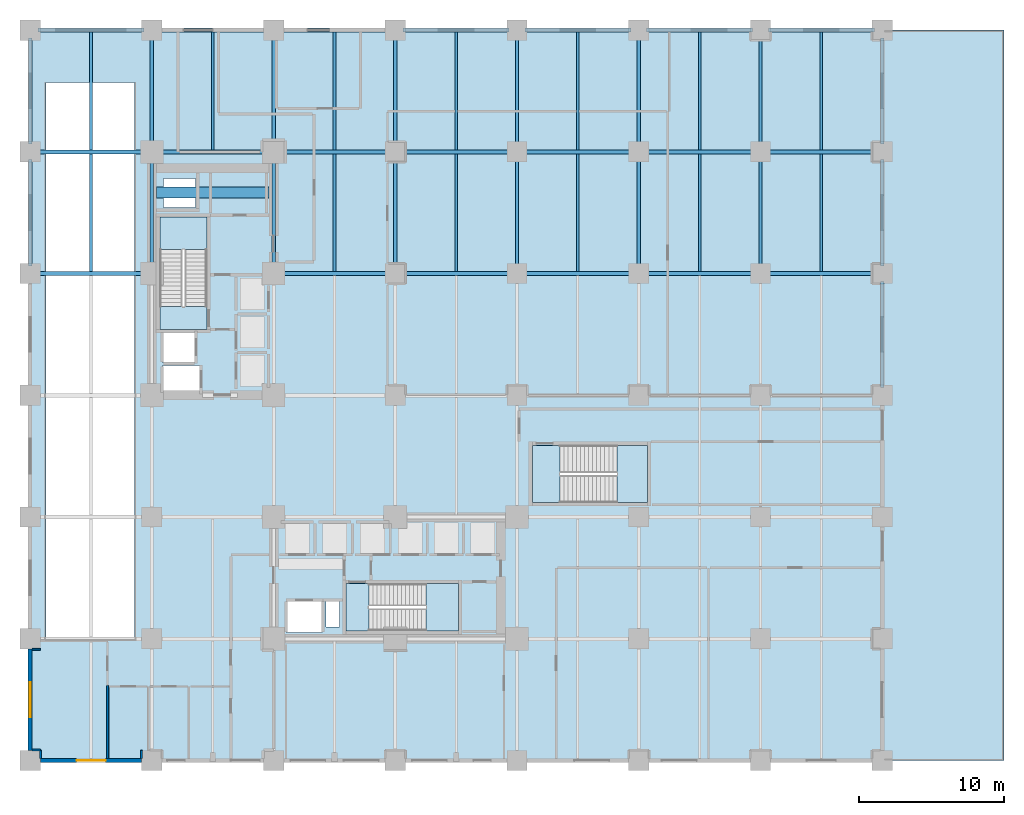
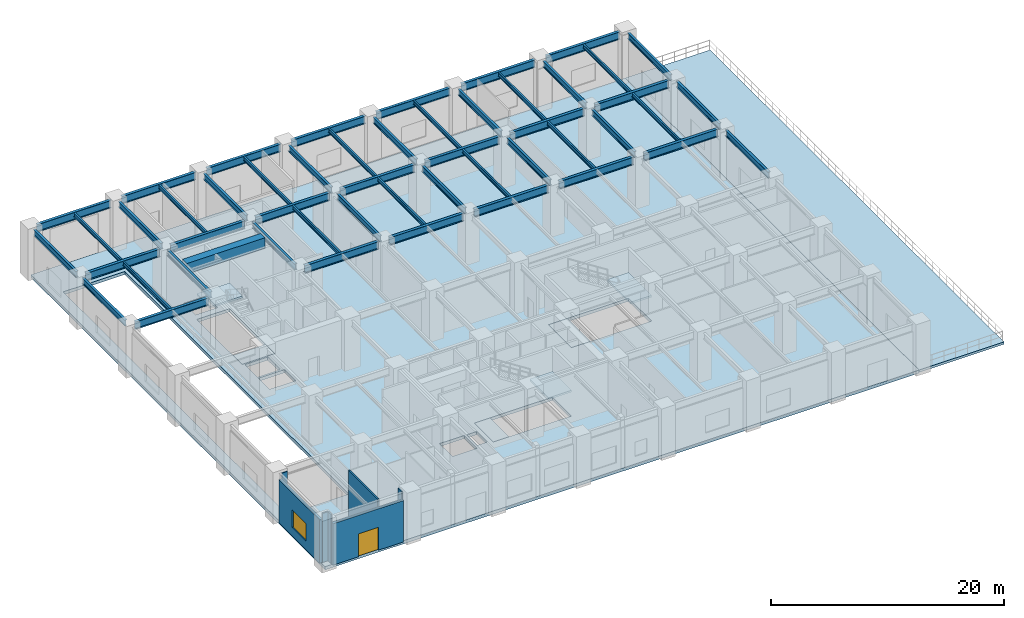
# One storey, part 2 of 13: 51 beams, 8 slabs, 7 walls, 1 door, 1 window, 2 openings, 3 elements without a shape of their own.
"""IFC4 building model written with IfcOpenShell, lengths in metres."""

from ifc_helpers import new_model, si_unit, direction, frame, frame_2d, origin, origin_2d, place, context, subcontext, project, spatial, polyline, rectangle, i_section, outline, extrude, material, layer, layer_set, material_profile, profile_set, type_object, element, fill, aggregate, save


model = new_model("IFC4")

# Units and contexts
model_context = context("Model", 3, precision=1e-05, world=origin(), true_north=direction((0.0, 1.0)))
body_context = subcontext(model_context, "Body", "Model", "MODEL_VIEW")
ifc_project = project(units=[si_unit("LENGTHUNIT", "METRE"), si_unit("AREAUNIT", "SQUARE_METRE"), si_unit("VOLUMEUNIT", "CUBIC_METRE"), si_unit("PLANEANGLEUNIT", "RADIAN"), si_unit("MASSUNIT", "GRAM", prefix="KILO")], contexts=[model_context])

# Site, building, storey
site_placement = place(None, origin())
site = spatial("IfcSite", under=ifc_project, at=site_placement, CompositionType="ELEMENT")
building_placement = place(site_placement, origin())
building = spatial("IfcBuilding", under=site, at=building_placement, Name="Nerrivon Quay Data Exchange", CompositionType="ELEMENT")
storey_placement = place(building_placement, origin())
storey = spatial("IfcBuildingStorey", under=building, at=storey_placement, Name="L00", CompositionType="ELEMENT", Elevation=0.0)

# Beams
ifc_material_1 = material(Name="Concrete S65 (65 MPa)", Category="concrete")
ifc_material_profile_1 = material_profile(ifc_material_1, rectangle(XDim=0.75, YDim=1.10009765625, at=origin_2d()), Name="RC-CB-750x1100")
ifc_profile_set_1 = profile_set([ifc_material_profile_1], Name="Concrete S65 (65 MPa)")
beam_type_1 = type_object("IfcBeamType", Name="BM-CB1-750x1100", PredefinedType="LINTEL", material=ifc_profile_set_1)
beam_1_placement = place(storey_placement, frame((8.72509765625, 39.199951171875, 4.574951171875), z_axis=(1.0, 0.0, 0.0), x_axis=(0.0, 1.0, 0.0)))
element("IfcBeam", 1, at=beam_1_placement, inside=storey, type_object=beam_type_1, Name="L00 West Core Coupling Beam", PredefinedType="LINTEL", context=body_context, shape_type="SweptSolid", body=[
    extrude(rectangle(XDim=0.75, YDim=1.10009765625, at=origin_2d()), origin(), (0.0, 0.0, 1.0), 7.75),
])
ifc_material_2 = material(Name="Steel Grade 350", Category="steel")
ifc_material_profile_2 = material_profile(ifc_material_2, i_section(OverallWidth=0.22900390625, OverallDepth=0.612060546875, WebThickness=0.011962890625, FlangeThickness=0.01953125, FilletRadius=0.013916015625, at=origin_2d()), Name="610UB125")
ifc_profile_set_2 = profile_set([ifc_material_profile_2], Name="Steel Grade 350")
beam_type_2 = type_object("IfcBeamType", Name="BM-G1-610UB125", PredefinedType="BEAM", material=ifc_profile_set_2)
for number, where, z_axis, x_axis, name in (
    (2, (0.0, 34.139892578125, 4.819091796875), (0.0, 1.0, 0.0), (-1.0, 0.0, 0.0), "L00 NS Girder X=0.0 (33.6..42.0)"),
    (3, (0.0, 42.5400390625, 4.819091796875), (0.0, 1.0, 0.0), (-1.0, 0.0, 0.0), "L00 NS Girder X=0.0 (42.0..50.4)"),
    (4, (8.39990234375, 34.139892578125, 4.819091796875), (0.0, 1.0, 0.0), (-1.0, 0.0, 0.0), "L00 NS Girder X=8.4 (33.6..42.0)"),
    (5, (8.39990234375, 42.5400390625, 4.819091796875), (0.0, 1.0, 0.0), (-1.0, 0.0, 0.0), "L00 NS Girder X=8.4 (42.0..50.4)"),
    (6, (16.800048828125, 34.139892578125, 4.819091796875), (0.0, 1.0, 0.0), (-1.0, 0.0, 0.0), "L00 NS Girder X=16.8 (33.6..42.0)"),
    (7, (16.800048828125, 42.5400390625, 4.819091796875), (0.0, 1.0, 0.0), (-1.0, 0.0, 0.0), "L00 NS Girder X=16.8 (42.0..50.4)"),
    (8, (25.199951171875, 34.139892578125, 4.819091796875), (0.0, 1.0, 0.0), (-1.0, 0.0, 0.0), "L00 NS Girder X=25.2 (33.6..42.0)"),
    (9, (25.199951171875, 42.5400390625, 4.819091796875), (0.0, 1.0, 0.0), (-1.0, 0.0, 0.0), "L00 NS Girder X=25.2 (42.0..50.4)"),
    (10, (33.60009765625, 34.139892578125, 4.819091796875), (0.0, 1.0, 0.0), (-1.0, 0.0, 0.0), "L00 NS Girder X=33.6 (33.6..42.0)"),
    (11, (33.60009765625, 42.5400390625, 4.819091796875), (0.0, 1.0, 0.0), (-1.0, 0.0, 0.0), "L00 NS Girder X=33.6 (42.0..50.4)"),
    (12, (42.0, 34.139892578125, 4.819091796875), (0.0, 1.0, 0.0), (-1.0, 0.0, 0.0), "L00 NS Girder X=42.0 (33.6..42.0)"),
    (13, (42.0, 42.5400390625, 4.819091796875), (0.0, 1.0, 0.0), (-1.0, 0.0, 0.0), "L00 NS Girder X=42.0 (42.0..50.4)"),
    (14, (50.39990234375, 34.139892578125, 4.819091796875), (0.0, 1.0, 0.0), (-1.0, 0.0, 0.0), "L00 NS Girder X=50.4 (33.6..42.0)"),
    (15, (50.39990234375, 42.5400390625, 4.819091796875), (0.0, 1.0, 0.0), (-1.0, 0.0, 0.0), "L00 NS Girder X=50.4 (42.0..50.4)"),
    (16, (58.800048828125, 25.739990234375, 4.819091796875), (0.0, 1.0, 0.0), (-1.0, 0.0, 0.0), "L00 NS Girder X=58.8 (25.2..33.6)"),
    (17, (58.800048828125, 34.139892578125, 4.819091796875), (0.0, 1.0, 0.0), (-1.0, 0.0, 0.0), "L00 NS Girder X=58.8 (33.6..42.0)"),
    (18, (58.800048828125, 42.5400390625, 4.819091796875), (0.0, 1.0, 0.0), (-1.0, 0.0, 0.0), "L00 NS Girder X=58.8 (42.0..50.4)"),
):
    element("IfcBeam", number, at=place(storey_placement, frame(where, z_axis=z_axis, x_axis=x_axis)), inside=storey, type_object=beam_type_2, Name=name, PredefinedType="BEAM", context=body_context, shape_type="SweptSolid", body=[
        extrude(i_section(OverallWidth=0.22900390625, OverallDepth=0.612060546875, WebThickness=0.011962890625, FlangeThickness=0.01953125, FilletRadius=0.013916015625, at=origin_2d()), origin(), (0.0, 0.0, 1.0), 7.320068359375),
    ])
ifc_material_profile_3 = material_profile(ifc_material_2, i_section(OverallWidth=0.27490234375, OverallDepth=0.800048828125, WebThickness=0.010009765625, FlangeThickness=0.02001953125, at=origin_2d()), Name="800WB146")
ifc_profile_set_3 = profile_set([ifc_material_profile_3], Name="Steel Grade 350")
beam_type_3 = type_object("IfcBeamType", Name="BM-G8-800WB146", PredefinedType="BEAM", material=ifc_profile_set_3)
beam_2_placement = place(storey_placement, frame((0.5400390625, 33.60009765625, 4.72509765625), z_axis=(1.0, 0.0, 0.0), x_axis=(0.0, 1.0, 0.0)))
element("IfcBeam", 19, at=beam_2_placement, inside=storey, type_object=beam_type_3, Name="L00 EW Girder Y=33.6 (0.0..8.4)", PredefinedType="BEAM", context=body_context, shape_type="SweptSolid", body=[
    extrude(i_section(OverallWidth=0.27490234375, OverallDepth=0.800048828125, WebThickness=0.010009765625, FlangeThickness=0.02001953125, at=origin_2d()), origin(), (0.0, 0.0, 1.0), 7.320068359375),
])
beam_3_placement = place(storey_placement, frame((17.340087890625, 33.60009765625, 4.72509765625), z_axis=(1.0, 0.0, 0.0), x_axis=(0.0, 1.0, 0.0)))
element("IfcBeam", 20, at=beam_3_placement, inside=storey, type_object=beam_type_3, Name="L00 EW Girder Y=33.6 (16.8..25.2)", PredefinedType="BEAM", context=body_context, shape_type="SweptSolid", body=[
    extrude(i_section(OverallWidth=0.27490234375, OverallDepth=0.800048828125, WebThickness=0.010009765625, FlangeThickness=0.02001953125, at=origin_2d()), origin(), (0.0, 0.0, 1.0), 7.31982421875),
])
for number, where, z_axis, x_axis, name in (
    (21, (25.739990234375, 33.60009765625, 4.72509765625), (1.0, 0.0, 0.0), (0.0, 1.0, 0.0), "L00 EW Girder Y=33.6 (25.2..33.6)"),
    (22, (34.139892578125, 33.60009765625, 4.72509765625), (1.0, 0.0, 0.0), (0.0, 1.0, 0.0), "L00 EW Girder Y=33.6 (33.6..42.0)"),
    (23, (42.5400390625, 33.60009765625, 4.72509765625), (1.0, 0.0, 0.0), (0.0, 1.0, 0.0), "L00 EW Girder Y=33.6 (42.0..50.4)"),
    (24, (50.93994140625, 33.60009765625, 4.72509765625), (1.0, 0.0, 0.0), (0.0, 1.0, 0.0), "L00 EW Girder Y=33.6 (50.4..58.8)"),
    (25, (0.5400390625, 42.0, 4.72509765625), (1.0, 0.0, 0.0), (0.0, 1.0, 0.0), "L00 EW Girder Y=42.0 (0.0..8.4)"),
    (26, (8.93994140625, 42.0, 4.72509765625), (1.0, 0.0, 0.0), (0.0, 1.0, 0.0), "L00 EW Girder Y=42.0 (8.4..16.8)"),
):
    element("IfcBeam", number, at=place(storey_placement, frame(where, z_axis=z_axis, x_axis=x_axis)), inside=storey, type_object=beam_type_3, Name=name, PredefinedType="BEAM", context=body_context, shape_type="SweptSolid", body=[
        extrude(i_section(OverallWidth=0.27490234375, OverallDepth=0.800048828125, WebThickness=0.010009765625, FlangeThickness=0.02001953125, at=origin_2d()), origin(), (0.0, 0.0, 1.0), 7.320068359375),
    ])
beam_4_placement = place(storey_placement, frame((17.340087890625, 42.0, 4.72509765625), z_axis=(1.0, 0.0, 0.0), x_axis=(0.0, 1.0, 0.0)))
element("IfcBeam", 27, at=beam_4_placement, inside=storey, type_object=beam_type_3, Name="L00 EW Girder Y=42.0 (16.8..25.2)", PredefinedType="BEAM", context=body_context, shape_type="SweptSolid", body=[
    extrude(i_section(OverallWidth=0.27490234375, OverallDepth=0.800048828125, WebThickness=0.010009765625, FlangeThickness=0.02001953125, at=origin_2d()), origin(), (0.0, 0.0, 1.0), 7.31982421875),
])
for number, where, z_axis, x_axis, name in (
    (28, (25.739990234375, 42.0, 4.72509765625), (1.0, 0.0, 0.0), (0.0, 1.0, 0.0), "L00 EW Girder Y=42.0 (25.2..33.6)"),
    (29, (34.139892578125, 42.0, 4.72509765625), (1.0, 0.0, 0.0), (0.0, 1.0, 0.0), "L00 EW Girder Y=42.0 (33.6..42.0)"),
    (30, (42.5400390625, 42.0, 4.72509765625), (1.0, 0.0, 0.0), (0.0, 1.0, 0.0), "L00 EW Girder Y=42.0 (42.0..50.4)"),
    (31, (50.93994140625, 42.0, 4.72509765625), (1.0, 0.0, 0.0), (0.0, 1.0, 0.0), "L00 EW Girder Y=42.0 (50.4..58.8)"),
    (32, (0.5400390625, 50.39990234375, 4.72509765625), (1.0, 0.0, 0.0), (0.0, 1.0, 0.0), "L00 EW Girder Y=50.4 (0.0..8.4)"),
    (33, (8.93994140625, 50.39990234375, 4.72509765625), (1.0, 0.0, 0.0), (0.0, 1.0, 0.0), "L00 EW Girder Y=50.4 (8.4..16.8)"),
):
    element("IfcBeam", number, at=place(storey_placement, frame(where, z_axis=z_axis, x_axis=x_axis)), inside=storey, type_object=beam_type_3, Name=name, PredefinedType="BEAM", context=body_context, shape_type="SweptSolid", body=[
        extrude(i_section(OverallWidth=0.27490234375, OverallDepth=0.800048828125, WebThickness=0.010009765625, FlangeThickness=0.02001953125, at=origin_2d()), origin(), (0.0, 0.0, 1.0), 7.320068359375),
    ])
beam_5_placement = place(storey_placement, frame((17.340087890625, 50.39990234375, 4.72509765625), z_axis=(1.0, 0.0, 0.0), x_axis=(0.0, 1.0, 0.0)))
element("IfcBeam", 34, at=beam_5_placement, inside=storey, type_object=beam_type_3, Name="L00 EW Girder Y=50.4 (16.8..25.2)", PredefinedType="BEAM", context=body_context, shape_type="SweptSolid", body=[
    extrude(i_section(OverallWidth=0.27490234375, OverallDepth=0.800048828125, WebThickness=0.010009765625, FlangeThickness=0.02001953125, at=origin_2d()), origin(), (0.0, 0.0, 1.0), 7.31982421875),
])
for number, where, z_axis, x_axis, name in (
    (35, (25.739990234375, 50.39990234375, 4.72509765625), (1.0, 0.0, 0.0), (0.0, 1.0, 0.0), "L00 EW Girder Y=50.4 (25.2..33.6)"),
    (36, (34.139892578125, 50.39990234375, 4.72509765625), (1.0, 0.0, 0.0), (0.0, 1.0, 0.0), "L00 EW Girder Y=50.4 (33.6..42.0)"),
    (37, (42.5400390625, 50.39990234375, 4.72509765625), (1.0, 0.0, 0.0), (0.0, 1.0, 0.0), "L00 EW Girder Y=50.4 (42.0..50.4)"),
    (38, (50.93994140625, 50.39990234375, 4.72509765625), (1.0, 0.0, 0.0), (0.0, 1.0, 0.0), "L00 EW Girder Y=50.4 (50.4..58.8)"),
):
    element("IfcBeam", number, at=place(storey_placement, frame(where, z_axis=z_axis, x_axis=x_axis)), inside=storey, type_object=beam_type_3, Name=name, PredefinedType="BEAM", context=body_context, shape_type="SweptSolid", body=[
        extrude(i_section(OverallWidth=0.27490234375, OverallDepth=0.800048828125, WebThickness=0.010009765625, FlangeThickness=0.02001953125, at=origin_2d()), origin(), (0.0, 0.0, 1.0), 7.320068359375),
    ])
ifc_material_profile_4 = material_profile(ifc_material_2, i_section(OverallWidth=0.177978515625, OverallDepth=0.403076171875, WebThickness=0.007568359375, FlangeThickness=0.010986328125, FilletRadius=0.011474609375, at=origin_2d()), Name="410UB53.7")
ifc_profile_set_4 = profile_set([ifc_material_profile_4], Name="Steel Grade 350")
beam_type_4 = type_object("IfcBeamType", Name="BM-J2-410UB54", PredefinedType="JOIST", material=ifc_profile_set_4)
for number, where, z_axis, x_axis, name in (
    (39, (4.199951171875, 33.737548828125, 4.923583984375), (0.0, 1.0, 0.0), (-1.0, 0.0, 0.0), "L00 Secondary Joist X=4.2 (33.6..42.0)"),
    (40, (4.199951171875, 42.137451171875, 4.923583984375), (0.0, 1.0, 0.0), (-1.0, 0.0, 0.0), "L00 Secondary Joist X=4.2 (42.0..50.4)"),
    (41, (12.60009765625, 42.137451171875, 4.923583984375), (0.0, 1.0, 0.0), (-1.0, 0.0, 0.0), "L00 Secondary Joist X=12.6 (42.0..50.4)"),
    (42, (21.0, 33.737548828125, 4.923583984375), (0.0, 1.0, 0.0), (-1.0, 0.0, 0.0), "L00 Secondary Joist X=21.0 (33.6..42.0)"),
    (43, (21.0, 42.137451171875, 4.923583984375), (0.0, 1.0, 0.0), (-1.0, 0.0, 0.0), "L00 Secondary Joist X=21.0 (42.0..50.4)"),
    (44, (29.39990234375, 33.737548828125, 4.923583984375), (0.0, 1.0, 0.0), (-1.0, 0.0, 0.0), "L00 Secondary Joist X=29.4 (33.6..42.0)"),
    (45, (29.39990234375, 42.137451171875, 4.923583984375), (0.0, 1.0, 0.0), (-1.0, 0.0, 0.0), "L00 Secondary Joist X=29.4 (42.0..50.4)"),
    (46, (37.800048828125, 33.737548828125, 4.923583984375), (0.0, 1.0, 0.0), (-1.0, 0.0, 0.0), "L00 Secondary Joist X=37.8 (33.6..42.0)"),
    (47, (37.800048828125, 42.137451171875, 4.923583984375), (0.0, 1.0, 0.0), (-1.0, 0.0, 0.0), "L00 Secondary Joist X=37.8 (42.0..50.4)"),
    (48, (46.199951171875, 33.737548828125, 4.923583984375), (0.0, 1.0, 0.0), (-1.0, 0.0, 0.0), "L00 Secondary Joist X=46.2 (33.6..42.0)"),
    (49, (46.199951171875, 42.137451171875, 4.923583984375), (0.0, 1.0, 0.0), (-1.0, 0.0, 0.0), "L00 Secondary Joist X=46.2 (42.0..50.4)"),
    (50, (54.60009765625, 33.737548828125, 4.923583984375), (0.0, 1.0, 0.0), (-1.0, 0.0, 0.0), "L00 Secondary Joist X=54.6 (33.6..42.0)"),
    (51, (54.60009765625, 42.137451171875, 4.923583984375), (0.0, 1.0, 0.0), (-1.0, 0.0, 0.0), "L00 Secondary Joist X=54.6 (42.0..50.4)"),
):
    element("IfcBeam", number, at=place(storey_placement, frame(where, z_axis=z_axis, x_axis=x_axis)), inside=storey, type_object=beam_type_4, Name=name, PredefinedType="JOIST", context=body_context, shape_type="SweptSolid", body=[
        extrude(i_section(OverallWidth=0.177978515625, OverallDepth=0.403076171875, WebThickness=0.007568359375, FlangeThickness=0.010986328125, FilletRadius=0.011474609375, at=origin_2d()), origin(), (0.0, 0.0, 1.0), 8.125),
    ])

# Stair, slab
ifc_material_3 = material(Name="Concrete N50 (50 MPa)", Category="concrete")
stair_type = type_object("IfcStairType", Name="STAIR-DOG-54", PredefinedType="HALF_TURN_STAIR", material=ifc_material_3)
stair_1_placement = place(storey_placement, origin())
stair_1 = element("IfcStair", 52, at=stair_1_placement, inside=storey, type_object=stair_type, Name="L00 West Core Fire Stair ST01", PredefinedType="HALF_TURN_STAIR")
ifc_layer_1 = layer(ifc_material_3, 0.199951171875)
ifc_layer_set_1 = layer_set([ifc_layer_1], Name="Concrete N50 (50 MPa)")
slab_type_1 = type_object("IfcSlabType", Name="SLB-LAND-200", PredefinedType="LANDING", material=ifc_layer_set_1)
slab_1_placement = place(storey_placement, frame((0.0, 0.0, 2.5)))
slab_1 = element("IfcSlab", 53, at=slab_1_placement, type_object=slab_type_1, Name="ST01 landing 1", PredefinedType="LANDING", context=body_context, shape_type="SweptSolid", body=[
    extrude(outline(polyline([(12.199951171875, 35.25), (12.199951171875, 37.5), (8.949951171875, 37.5), (8.949951171875, 35.25), (12.199951171875, 35.25)])), origin(), (0.0, 0.0, 1.0), 0.199951171875),
])
aggregate(stair_1, [slab_1])

# Slab
slab_2_placement = place(storey_placement, frame((0.0, 0.0, -0.199951171875)))
element("IfcSlab", 54, at=slab_2_placement, inside=storey, type_object=slab_type_1, Name="L00 ST01 floor landing", PredefinedType="LANDING", context=body_context, shape_type="SweptSolid", body=[
    extrude(outline(polyline([(12.199951171875, 29.75), (12.199951171875, 31.330078125), (8.949951171875, 31.330078125), (8.949951171875, 29.75), (12.199951171875, 29.75)])), origin(), (0.0, 0.0, 1.0), 0.199951171875),
])

# Stair, slab
stair_2_placement = place(storey_placement, origin())
stair_2 = element("IfcStair", 55, at=stair_2_placement, inside=storey, type_object=stair_type, Name="L00 East Core Fire Stair ST02", PredefinedType="HALF_TURN_STAIR")
slab_3_placement = place(storey_placement, frame((0.0, 0.0, 2.5)))
slab_3 = element("IfcSlab", 56, at=slab_3_placement, type_object=slab_type_1, Name="ST02 landing 1", PredefinedType="LANDING", context=body_context, shape_type="SweptSolid", body=[
    extrude(outline(polyline([(27.300048828125, 8.949951171875), (29.550048828125, 8.949951171875), (29.550048828125, 12.199951171875), (27.300048828125, 12.199951171875), (27.300048828125, 8.949951171875)])), origin(), (0.0, 0.0, 1.0), 0.199951171875),
])
aggregate(stair_2, [slab_3])

# Slab
slab_4_placement = place(storey_placement, frame((0.0, 0.0, -0.199951171875)))
element("IfcSlab", 57, at=slab_4_placement, inside=storey, type_object=slab_type_1, Name="L00 ST02 floor landing", PredefinedType="LANDING", context=body_context, shape_type="SweptSolid", body=[
    extrude(outline(polyline([(21.800048828125, 8.949951171875), (23.3798828125, 8.949951171875), (23.3798828125, 12.199951171875), (21.800048828125, 12.199951171875), (21.800048828125, 8.949951171875)])), origin(), (0.0, 0.0, 1.0), 0.199951171875),
])

# Stair, slab
stair_3_placement = place(storey_placement, origin())
stair_3 = element("IfcStair", 58, at=stair_3_placement, inside=storey, type_object=stair_type, Name="L00 Podium Exit Stair ST03", PredefinedType="HALF_TURN_STAIR")
slab_5_placement = place(storey_placement, frame((0.0, 0.0, 2.5)))
slab_5 = element("IfcSlab", 59, at=slab_5_placement, type_object=slab_type_1, Name="ST03 landing 1", PredefinedType="LANDING", context=body_context, shape_type="SweptSolid", body=[
    extrude(outline(polyline([(40.489990234375, 17.800048828125), (42.60009765625, 17.800048828125), (42.60009765625, 21.75), (40.489990234375, 21.75), (40.489990234375, 17.800048828125)])), origin(), (0.0, 0.0, 1.0), 0.199951171875),
])
aggregate(stair_3, [slab_5])

# Slabs
slab_6_placement = place(storey_placement, frame((0.0, 0.0, -0.199951171875)))
element("IfcSlab", 60, at=slab_6_placement, inside=storey, type_object=slab_type_1, Name="L00 ST03 floor landing", PredefinedType="LANDING", context=body_context, shape_type="SweptSolid", body=[
    extrude(outline(polyline([(34.64990234375, 17.800048828125), (36.570068359375, 17.800048828125), (36.570068359375, 21.75), (34.64990234375, 21.75), (34.64990234375, 17.800048828125)])), origin(), (0.0, 0.0, 1.0), 0.199951171875),
])
ifc_material_4 = material(Name="Concrete N40 (40 MPa)", Category="concrete")
ifc_layer_2 = layer(ifc_material_4, 0.25)
ifc_layer_set_2 = layer_set([ifc_layer_2], Name="Concrete N40 (40 MPa)")
slab_type_2 = type_object("IfcSlabType", Name="SLB-PAV-250", PredefinedType="USERDEFINED", material=ifc_layer_set_2)
slab_7_placement = place(storey_placement, frame((0.0, 0.0, -0.25)))
element("IfcSlab", 61, at=slab_7_placement, inside=storey, type_object=slab_type_2, Name="Waterfront Canal Promenade", ObjectType="PAVING", PredefinedType="USERDEFINED", context=body_context, shape_type="SweptSolid", body=[
    extrude(outline(polyline([(67.199951171875, 0.0), (67.199951171875, 50.39990234375), (58.800048828125, 50.39990234375), (58.800048828125, 0.0), (67.199951171875, 0.0)])), origin(), (0.0, 0.0, 1.0), 0.25),
])
ifc_layer_3 = layer(ifc_material_3, 0.320068359375)
ifc_layer_set_3 = layer_set([ifc_layer_3], Name="Concrete N50 (50 MPa)")
slab_type_3 = type_object("IfcSlabType", Name="SLB-POD-320", PredefinedType="FLOOR", material=ifc_layer_set_3)
slab_8_placement = place(storey_placement, frame((0.0, 0.0, -0.320068359375)))
element("IfcSlab", 62, at=slab_8_placement, inside=storey, type_object=slab_type_3, Name="L00 Primary Structural Slab", PredefinedType="FLOOR", context=body_context, shape_type="SweptSolid", body=[
    extrude(outline(polyline([(58.800048828125, 0.0), (58.800048828125, 50.39990234375), (0.0, 50.39990234375), (0.0, 0.0), (58.800048828125, 0.0)]), holes=[polyline([(8.949951171875, 29.75), (8.949951171875, 37.5), (12.199951171875, 37.5), (12.199951171875, 29.75), (8.949951171875, 29.75)]), polyline([(21.800048828125, 12.199951171875), (29.550048828125, 12.199951171875), (29.550048828125, 8.949951171875), (21.800048828125, 8.949951171875), (21.800048828125, 12.199951171875)]), polyline([(34.64990234375, 21.75), (42.60009765625, 21.75), (42.60009765625, 17.800048828125), (34.64990234375, 17.800048828125), (34.64990234375, 21.75)]), polyline([(20.39990234375, 9.199951171875), (20.39990234375, 11.0), (21.35009765625, 11.0), (21.35009765625, 9.199951171875), (20.39990234375, 9.199951171875)]), polyline([(20.14990234375, 8.830078125), (17.699951171875, 8.830078125), (17.699951171875, 11.030029296875), (20.14990234375, 11.030029296875), (20.14990234375, 8.830078125)]), polyline([(9.14990234375, 25.35009765625), (9.14990234375, 27.25), (11.75, 27.25), (11.75, 25.35009765625), (9.14990234375, 25.35009765625)]), polyline([(9.14990234375, 27.449951171875), (9.14990234375, 29.60009765625), (11.39990234375, 29.60009765625), (11.39990234375, 27.449951171875), (9.14990234375, 27.449951171875)]), polyline([(9.199951171875, 38.14990234375), (9.199951171875, 40.14990234375), (11.39990234375, 40.14990234375), (11.39990234375, 38.14990234375), (9.199951171875, 38.14990234375)]), polyline([(7.199951171875, 8.39990234375), (1.10009765625, 8.39990234375), (1.10009765625, 46.800048828125), (7.199951171875, 46.800048828125), (7.199951171875, 8.39990234375)])]), origin(), (0.0, 0.0, 1.0), 0.320068359375),
])

# Wall, opening, window
ifc_material_5 = material(Name="Precast concrete N50 (50 MPa)", Category="concrete")
ifc_layer_4 = layer(ifc_material_5, 0.280029296875)
ifc_layer_set_4 = layer_set([ifc_layer_4], Name="Precast concrete N50 (50 MPa)")
wall_type_1 = type_object("IfcWallType", Name="EW-PREC-280", PredefinedType="STANDARD", material=ifc_layer_set_4)
wall_1_placement = place(storey_placement, frame((0.0, 0.699951171875, 0.0), z_axis=(0.0, 0.0, 1.0), x_axis=(0.0, 1.0, 0.0)))
wall_1 = element("IfcWall", 63, at=wall_1_placement, inside=storey, type_object=wall_type_1, Name="L00 Podium Exterior Wall 1", PredefinedType="STANDARD", context=body_context, shape_type="SweptSolid", body=[
    extrude(rectangle(XDim=7.0, YDim=0.280029296875, at=frame_2d((3.5, 0.0))), origin(), (0.0, 0.0, 1.0), 4.512939453125),
])
opening_1_placement = place(wall_1_placement, frame((2.300048828125, 0.0, 0.89990234375)))
opening_1 = element("IfcOpeningElement", 64, at=opening_1_placement, cuts=wall_1, Name="Opening WN1", PredefinedType="OPENING", context=body_context, shape_type="SweptSolid", body=[
    extrude(rectangle(XDim=2.39990234375, YDim=1.800048828125, at=frame_2d((1.199951171875, 0.89990234375))), frame((0.0, 0.14990234375, 0.0), z_axis=(0.0, -1.0, 0.0), x_axis=(1.0, 0.0, 0.0)), (0.0, 0.0, 1.0), 0.300048828125),
])
ifc_material_6 = material(Name="Double-glazed low-E solar control glass", Category="glass")
window_type = type_object("IfcWindowType", Name="WIN-W1-2400x1800", PartitioningType="SINGLE_PANEL", PredefinedType="WINDOW", material=ifc_material_6)
window_placement = place(opening_1_placement, origin())
window = element("IfcWindow", 65, at=window_placement, inside=storey, type_object=window_type, Name="L00 Podium Window 1", OverallHeight=1.800048828125, OverallWidth=2.39990234375, PartitioningType="SINGLE_PANEL", PredefinedType="WINDOW", context=body_context, shape_type="SweptSolid", body=[
    extrude(rectangle(XDim=2.39990234375, YDim=1.800048828125, at=frame_2d((1.199951171875, 0.89990234375))), frame((0.0, 0.030029296875, 0.0), z_axis=(0.0, -1.0, 0.0), x_axis=(1.0, 0.0, 0.0)), (0.0, 0.0, 1.0), 0.06005859375),
])
fill(opening_1, window)

# Wall, opening, door
wall_2_placement = place(storey_placement, frame((7.699951171875, 0.0, 0.0), z_axis=(0.0, 0.0, 1.0), x_axis=(-1.0, 0.0, 0.0)))
wall_2 = element("IfcWall", 66, at=wall_2_placement, inside=storey, type_object=wall_type_1, Name="L00 Podium Exterior Wall 29", PredefinedType="STANDARD", context=body_context, shape_type="SweptSolid", body=[
    extrude(rectangle(XDim=7.0, YDim=0.280029296875, at=frame_2d((3.5, 0.0))), origin(), (0.0, 0.0, 1.0), 4.324951171875),
])
opening_2_placement = place(wall_2_placement, frame((2.5, 0.0, 0.0)))
opening_2 = element("IfcOpeningElement", 67, at=opening_2_placement, cuts=wall_2, Name="Opening ED1", PredefinedType="OPENING", context=body_context, shape_type="SweptSolid", body=[
    extrude(rectangle(XDim=2.0, YDim=2.39990234375, at=frame_2d((1.0, 1.199951171875))), frame((0.0, 0.14990234375, 0.0), z_axis=(0.0, -1.0, 0.0), x_axis=(1.0, 0.0, 0.0)), (0.0, 0.0, 1.0), 0.300048828125),
])
ifc_material_7 = material(Name="Anodised aluminium 6063-T6", Category="aluminium")
door_type = type_object("IfcDoorType", Name="DR-EXT-2000x2400", OperationType="DOUBLE_DOOR_SINGLE_SWING", PredefinedType="DOOR", material=ifc_material_7)
door_placement = place(opening_2_placement, origin())
door = element("IfcDoor", 68, at=door_placement, inside=storey, type_object=door_type, Name="Waterfront Promenade Entrance Door 29", OperationType="DOUBLE_DOOR_SINGLE_SWING", OverallHeight=2.39990234375, OverallWidth=2.0, PredefinedType="DOOR", context=body_context, shape_type="SweptSolid", body=[
    extrude(rectangle(XDim=2.0, YDim=2.39990234375, at=frame_2d((1.0, 1.199951171875))), frame((0.0, 0.02490234375, 0.0), z_axis=(0.0, -1.0, 0.0), x_axis=(1.0, 0.0, 0.0)), (0.0, 0.0, 1.0), 0.050048828125),
])
fill(opening_2, door)

# Walls
ifc_material_8 = material(Name="Gypsum plasterboard on cold-formed framing", Category="gypsum")
ifc_layer_5 = layer(ifc_material_8, 0.1201171875)
ifc_layer_set_5 = layer_set([ifc_layer_5], Name="Gypsum plasterboard on cold-formed framing")
wall_type_2 = type_object("IfcWallType", Name="WALL-PT-120", PredefinedType="PARTITIONING", material=ifc_layer_set_5)
for number, where, z_axis, x_axis, name in (
    (69, (0.699951171875, 7.679931640625, 0.0), (0.0, 0.0, 1.0), (-1.0, 0.0, 0.0), "L00 Partition Harbour Retail Kiosk"),
    (70, (0.14404296875, 0.719970703125, 0.0), (0.0, 0.0, 1.0), (1.0, 0.0, 0.0), "L00 Partition Harbour Retail Kiosk"),
    (71, (0.719970703125, 0.699951171875, 0.0), (0.0, 0.0, 1.0), (0.0, -1.0, 0.0), "L00 Partition Harbour Retail Kiosk"),
    (72, (7.679931640625, 0.14404296875, 0.0), (0.0, 0.0, 1.0), (0.0, 1.0, 0.0), "L00 Partition Staff Pantry"),
):
    element("IfcWall", number, at=place(storey_placement, frame(where, z_axis=z_axis, x_axis=x_axis)), inside=storey, type_object=wall_type_2, Name=name, PredefinedType="PARTITIONING", context=body_context, shape_type="SweptSolid", body=[
        extrude(rectangle(XDim=0.555908203125, YDim=0.1201171875, at=frame_2d((0.27783203125, 0.0))), origin(), (0.0, 0.0, 1.0), 5.125),
    ])
ifc_layer_6 = layer(ifc_material_8, 0.135009765625)
ifc_layer_set_6 = layer_set([ifc_layer_6], Name="Gypsum plasterboard on cold-formed framing")
wall_type_3 = type_object("IfcWallType", Name="WALL-PT-135", PredefinedType="PARTITIONING", material=ifc_layer_set_6)
wall_3_placement = place(storey_placement, frame((5.35009765625, 0.14404296875, 0.0), z_axis=(0.0, 0.0, 1.0), x_axis=(0.0, 1.0, 0.0)))
element("IfcWall", 73, at=wall_3_placement, inside=storey, type_object=wall_type_3, Name="L00 Partition Harbour Retail Kiosk", PredefinedType="PARTITIONING", context=body_context, shape_type="SweptSolid", body=[
    extrude(rectangle(XDim=5.02294921875, YDim=0.135009765625, at=frame_2d((2.511474609375, 0.0))), origin(), (0.0, 0.0, 1.0), 5.125),
])

save(model, "model.ifc")
